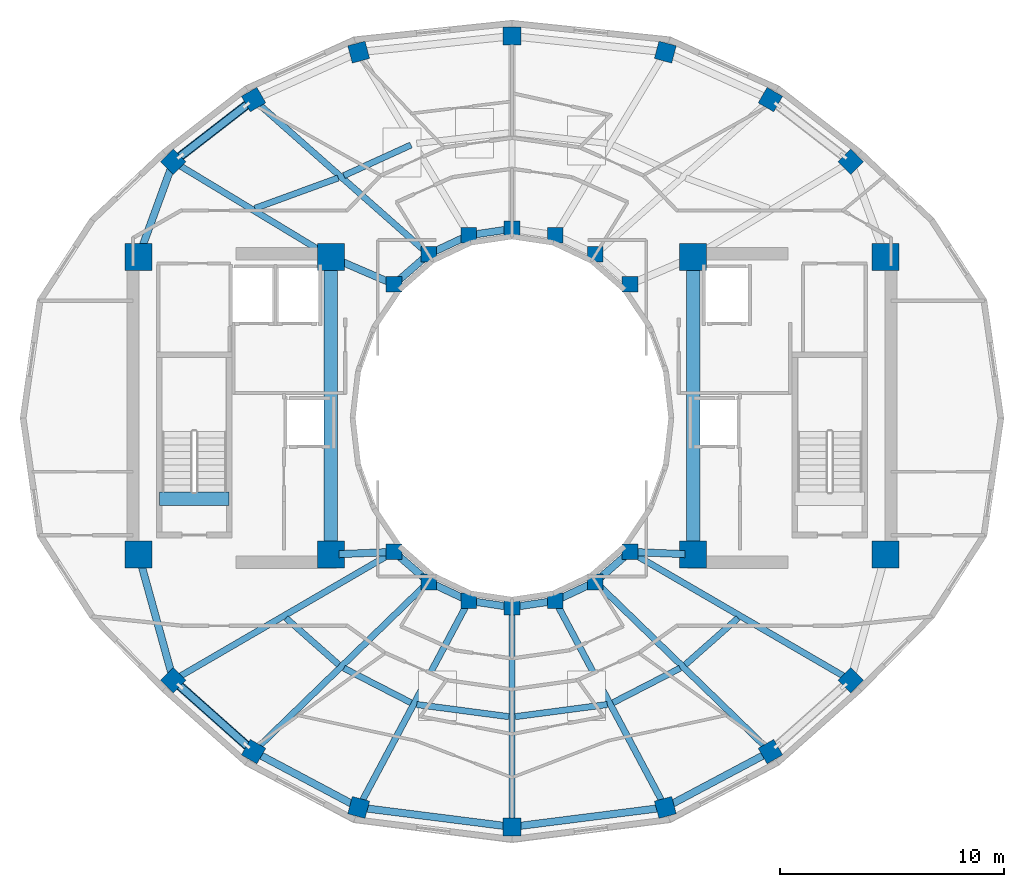
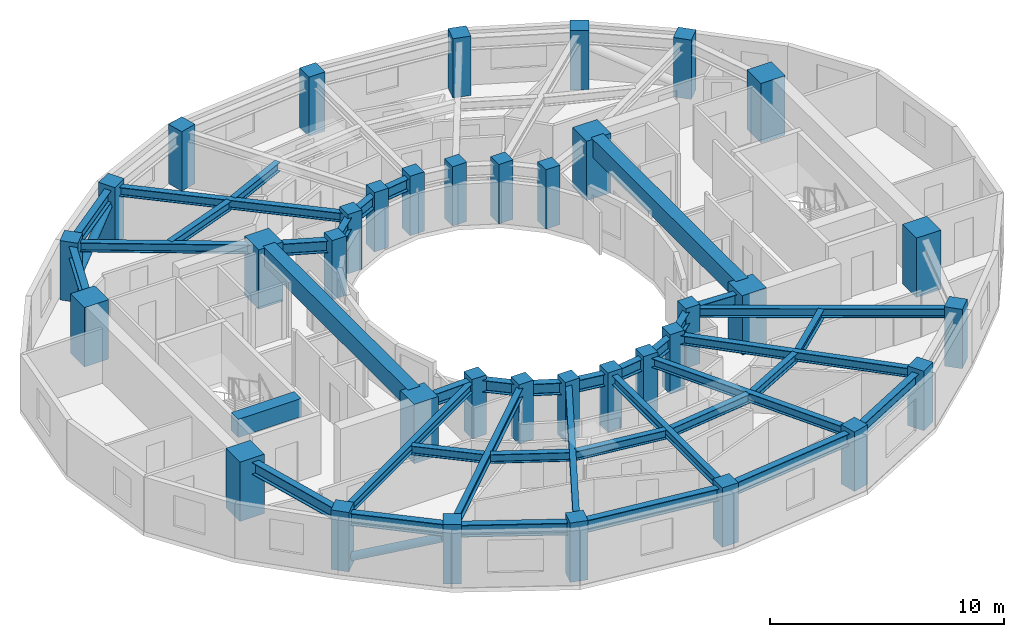
# One storey, part 1 of 9: 40 beams, 36 columns, 2 members.
"""IFC4 building model written with IfcOpenShell, lengths in metres."""

from ifc_helpers import new_model, si_unit, direction, frame, origin, origin_2d, place, context, subcontext, project, spatial, rectangle, hollow_circle, i_section, extrude, material, material_profile, profile_set, type_object, element, save


model = new_model("IFC4")

# Units and contexts
model_context = context("Model", 3, precision=1e-05, world=origin(), true_north=direction((0.0, 1.0)))
body_context = subcontext(model_context, "Body", "Model", "MODEL_VIEW")
ifc_project = project(units=[si_unit("LENGTHUNIT", "METRE"), si_unit("AREAUNIT", "SQUARE_METRE"), si_unit("VOLUMEUNIT", "CUBIC_METRE"), si_unit("PLANEANGLEUNIT", "RADIAN"), si_unit("MASSUNIT", "GRAM", prefix="KILO")], contexts=[model_context])

# Site, building, storey
site_placement = place(None, origin())
site = spatial("IfcSite", under=ifc_project, at=site_placement, CompositionType="ELEMENT")
building_placement = place(site_placement, origin())
building = spatial("IfcBuilding", under=site, at=building_placement, Name="Solvane Sanctuary Tower", CompositionType="ELEMENT")
storey_placement = place(building_placement, frame((0.0, 0.0, 223.300048828125)))
storey = spatial("IfcBuildingStorey", under=building, at=storey_placement, Name="L68", CompositionType="ELEMENT", Elevation=223.300048828125)

# Columns
ifc_material_1 = material(Name="Concrete C50/60", Category="concrete")
ifc_material_profile_1 = material_profile(ifc_material_1, rectangle(XDim=0.699951171875, YDim=0.699951171875, at=origin_2d()), Name="RC700X700")
ifc_profile_set_1 = profile_set([ifc_material_profile_1], Name="Concrete C50/60")
column_type_1 = type_object("IfcColumnType", Name="Column C-RING-Z4 RC700X700", PredefinedType="COLUMN", material=ifc_profile_set_1)
for number, where, z_axis, x_axis, name in (
    (1, (37.27490234375, 28.982177734375, 0.0), (0.0, 0.0, 1.0), (1.0, 0.0, 0.0), "L68 Inner Light-Well Ring Column IC01"),
    (2, (35.72998046875, 30.32666015625, 0.0), (0.0, 0.0, 1.0), (1.0, 0.0, 0.0), "L68 Inner Light-Well Ring Column IC02"),
    (3, (33.930908203125, 31.171630859375, 0.0), (0.0, 0.0, 1.0), (1.0, 0.0, 0.0), "L68 Inner Light-Well Ring Column IC03"),
    (4, (32.0, 31.4599609375, 0.0), (0.0, 0.0, 1.0), (1.0, 0.0, 0.0), "L68 Inner Light-Well Ring Column IC04"),
    (5, (30.069091796875, 31.171630859375, 0.0), (0.0, 0.0, 1.0), (1.0, 0.0, 0.0), "L68 Inner Light-Well Ring Column IC05"),
    (6, (28.27001953125, 30.32666015625, 0.0), (0.0, 0.0, 1.0), (1.0, 0.0, 0.0), "L68 Inner Light-Well Ring Column IC06"),
    (7, (26.72509765625, 28.982177734375, 0.0), (0.0, 0.0, 1.0), (1.0, 0.0, 0.0), "L68 Inner Light-Well Ring Column IC07"),
    (8, (26.72509765625, 17.017822265625, 0.0), (0.0, 0.0, 1.0), (1.0, 0.0, 0.0), "L68 Inner Light-Well Ring Column IC08"),
    (9, (28.27001953125, 15.67333984375, 0.0), (0.0, 0.0, 1.0), (1.0, 0.0, 0.0), "L68 Inner Light-Well Ring Column IC09"),
    (10, (30.069091796875, 14.828369140625, 0.0), (0.0, 0.0, 1.0), (1.0, 0.0, 0.0), "L68 Inner Light-Well Ring Column IC10"),
    (11, (32.0, 14.5400390625, 0.0), (0.0, 0.0, 1.0), (1.0, 0.0, 0.0), "L68 Inner Light-Well Ring Column IC11"),
    (12, (33.930908203125, 14.828369140625, 0.0), (0.0, 0.0, 1.0), (1.0, 0.0, 0.0), "L68 Inner Light-Well Ring Column IC12"),
    (13, (35.72998046875, 15.67333984375, 0.0), (0.0, 0.0, 1.0), (1.0, 0.0, 0.0), "L68 Inner Light-Well Ring Column IC13"),
    (14, (37.27490234375, 17.017822265625, 0.0), (0.0, 0.0, 1.0), (1.0, 0.0, 0.0), "L68 Inner Light-Well Ring Column IC14"),
):
    element("IfcColumn", number, at=place(storey_placement, frame(where, z_axis=z_axis, x_axis=x_axis)), inside=storey, type_object=column_type_1, Name=name, PredefinedType="COLUMN", context=body_context, shape_type="SweptSolid", body=[
        extrude(rectangle(XDim=0.699951171875, YDim=0.699951171875, at=origin_2d()), origin(), (0.0, 0.0, 1.0), 3.099853515625),
    ])
ifc_material_2 = material(Name="Concrete C70/85", Category="concrete")
ifc_material_profile_2 = material_profile(ifc_material_2, rectangle(XDim=1.199951171875, YDim=1.199951171875, at=origin_2d()), Name="RC1200X1200")
ifc_profile_set_2 = profile_set([ifc_material_profile_2], Name="Concrete C70/85")
column_type_2 = type_object("IfcColumnType", Name="Column C-TUBE-Z1 RC1200X1200", PredefinedType="COLUMN", material=ifc_profile_set_2)
for number, where, z_axis, x_axis, name in (
    (15, (15.300048828125, 16.89990234375, 0.0), (0.0, 0.0, 1.0), (1.0, 0.0, 0.0), "L68 Core Corner Column CW1"),
    (16, (23.89990234375, 16.89990234375, 0.0), (0.0, 0.0, 1.0), (1.0, 0.0, 0.0), "L68 Core Corner Column CW2"),
    (17, (23.89990234375, 30.199951171875, 0.0), (0.0, 0.0, 1.0), (1.0, 0.0, 0.0), "L68 Core Corner Column CW3"),
    (18, (15.300048828125, 30.199951171875, 0.0), (0.0, 0.0, 1.0), (1.0, 0.0, 0.0), "L68 Core Corner Column CW4"),
    (19, (40.10009765625, 16.89990234375, 0.0), (0.0, 0.0, 1.0), (1.0, 0.0, 0.0), "L68 Core Corner Column CE1"),
    (20, (48.699951171875, 16.89990234375, 0.0), (0.0, 0.0, 1.0), (1.0, 0.0, 0.0), "L68 Core Corner Column CE2"),
    (21, (48.699951171875, 30.199951171875, 0.0), (0.0, 0.0, 1.0), (1.0, 0.0, 0.0), "L68 Core Corner Column CE3"),
    (22, (40.10009765625, 30.199951171875, 0.0), (0.0, 0.0, 1.0), (1.0, 0.0, 0.0), "L68 Core Corner Column CE4"),
):
    element("IfcColumn", number, at=place(storey_placement, frame(where, z_axis=z_axis, x_axis=x_axis)), inside=storey, type_object=column_type_2, Name=name, PredefinedType="COLUMN", context=body_context, shape_type="SweptSolid", body=[
        extrude(rectangle(XDim=1.199951171875, YDim=1.199951171875, at=origin_2d()), origin(), (0.0, 0.0, 1.0), 3.099853515625),
    ])
ifc_material_profile_3 = material_profile(ifc_material_1, rectangle(XDim=0.800048828125, YDim=0.800048828125, at=origin_2d()), Name="RC800X800")
ifc_profile_set_3 = profile_set([ifc_material_profile_3], Name="Concrete C50/60")
column_type_3 = type_object("IfcColumnType", Name="Column C-TUBE-Z4 RC800X800", PredefinedType="COLUMN", material=ifc_profile_set_3)
for number, where, z_axis, x_axis, name in (
    (23, (47.14501953125, 34.461669921875, 0.0), (0.0, 0.0, 1.0), (0.707106781187, 0.707106781187, 0.0), "L68 Perimeter Tube Column TC01"),
    (24, (43.55517578125, 37.241455078125, 0.0), (0.0, 0.0, 1.0), (0.5, 0.866025403784, 0.0), "L68 Perimeter Tube Column TC02"),
    (25, (38.856201171875, 39.3623046875, 0.0), (0.0, 0.0, 1.0), (0.258819045103, 0.965925826289, 0.0), "L68 Perimeter Tube Column TC03"),
    (26, (32.0, 40.080078125, 0.0), (0.0, 0.0, 1.0), (0.0, 1.0, 0.0), "L68 Perimeter Tube Column TC04"),
    (27, (25.143798828125, 39.3623046875, 0.0), (0.0, 0.0, 1.0), (-0.258819045103, 0.965925826289, 0.0), "L68 Perimeter Tube Column TC05"),
    (28, (20.44482421875, 37.241455078125, 0.0), (0.0, 0.0, 1.0), (-0.5, 0.866025403784, 0.0), "L68 Perimeter Tube Column TC06"),
    (29, (16.85498046875, 34.461669921875, 0.0), (0.0, 0.0, 1.0), (-0.707106781187, 0.707106781187, 0.0), "L68 Perimeter Tube Column TC07"),
    (30, (16.85498046875, 11.279052734375, 0.0), (0.0, 0.0, 1.0), (-0.707106781187, -0.707106781187, 0.0), "L68 Perimeter Tube Column TC08"),
    (31, (20.44482421875, 8.086181640625, 0.0), (0.0, 0.0, 1.0), (-0.5, -0.866025403784, 0.0), "L68 Perimeter Tube Column TC09"),
    (32, (25.143798828125, 5.588623046875, 0.0), (0.0, 0.0, 1.0), (-0.258819045103, -0.965925826289, 0.0), "L68 Perimeter Tube Column TC10"),
    (33, (32.0, 4.719970703125, 0.0), (0.0, 0.0, 1.0), (0.0, -1.0, 0.0), "L68 Perimeter Tube Column TC11"),
    (34, (38.856201171875, 5.588623046875, 0.0), (0.0, 0.0, 1.0), (0.258819045103, -0.965925826289, 0.0), "L68 Perimeter Tube Column TC12"),
    (35, (43.55517578125, 8.086181640625, 0.0), (0.0, 0.0, 1.0), (0.5, -0.866025403784, 0.0), "L68 Perimeter Tube Column TC13"),
    (36, (47.14501953125, 11.279052734375, 0.0), (0.0, 0.0, 1.0), (0.707106781187, -0.707106781187, 0.0), "L68 Perimeter Tube Column TC14"),
):
    element("IfcColumn", number, at=place(storey_placement, frame(where, z_axis=z_axis, x_axis=x_axis)), inside=storey, type_object=column_type_3, Name=name, PredefinedType="COLUMN", context=body_context, shape_type="SweptSolid", body=[
        extrude(rectangle(XDim=0.800048828125, YDim=0.800048828125, at=origin_2d()), origin(), (0.0, 0.0, 1.0), 3.099853515625),
    ])

# Beams
ifc_material_profile_4 = material_profile(ifc_material_2, rectangle(XDim=0.60009765625, YDim=0.949951171875, at=origin_2d()), Name="RC600X950")
ifc_profile_set_4 = profile_set([ifc_material_profile_4], Name="Concrete C70/85")
beam_type_1 = type_object("IfcBeamType", Name="Beam B-COUPLE RC600X950", PredefinedType="LINTEL", material=ifc_profile_set_4)
for number, where, z_axis, x_axis, name in (
    (37, (23.89990234375, 17.35009765625, 2.625), (0.0, 1.0, 0.0), (-1.0, 0.0, 0.0), "L68 West Core Coupling Lintel"),
    (38, (40.10009765625, 17.35009765625, 2.625), (0.0, 1.0, 0.0), (-1.0, 0.0, 0.0), "L68 East Core Coupling Lintel"),
):
    element("IfcBeam", number, at=place(storey_placement, frame(where, z_axis=z_axis, x_axis=x_axis)), inside=storey, type_object=beam_type_1, Name=name, PredefinedType="LINTEL", context=body_context, shape_type="SweptSolid", body=[
        extrude(rectangle(XDim=0.60009765625, YDim=0.949951171875, at=origin_2d()), origin(), (0.0, 0.0, 1.0), 12.39990234375),
    ])
beam_1_placement = place(storey_placement, frame((16.22998046875, 19.399169921875, 2.625), z_axis=(1.0, 0.0, 0.0), x_axis=(0.0, 1.0, 0.0)))
element("IfcBeam", 39, at=beam_1_placement, inside=storey, type_object=beam_type_1, Name="L68 ST-1 Stair Floor Landing Trimmer", PredefinedType="LINTEL", context=body_context, shape_type="SweptSolid", body=[
    extrude(rectangle(XDim=0.60009765625, YDim=0.949951171875, at=origin_2d()), origin(), (0.0, 0.0, 1.0), 3.1201171875),
])
ifc_material_3 = material(Name="Steel ASTM A992 Grade 50", Category="steel")
ifc_material_profile_5 = material_profile(ifc_material_3, i_section(OverallWidth=0.282958984375, OverallDepth=0.471923828125, WebThickness=0.013671875, FlangeThickness=0.022216796875, FilletRadius=0.013916015625, at=origin_2d()), Name="W18X97")
ifc_profile_set_5 = profile_set([ifc_material_profile_5], Name="Steel ASTM A992 Grade 50")
beam_type_2 = type_object("IfcBeamType", Name="Beam B-RAD-Z4 W18X97", PredefinedType="JOIST", material=ifc_profile_set_5)
beam_2_placement = place(storey_placement, frame((28.060302734375, 30.511962890625, 2.641845703125), z_axis=(-0.749352461353, 0.662171343886, 0.0), x_axis=(-0.662171343886, -0.749352461353, 0.0)))
element("IfcBeam", 40, at=beam_2_placement, inside=storey, type_object=beam_type_2, Name="L68 Radial Composite Floor Beam 06", PredefinedType="JOIST", context=body_context, shape_type="SweptSolid", body=[
    extrude(i_section(OverallWidth=0.282958984375, OverallDepth=0.471923828125, WebThickness=0.013671875, FlangeThickness=0.022216796875, FilletRadius=0.013916015625, at=origin_2d()), origin(), (0.0, 0.0, 1.0), 9.882568359375),
])
beam_3_placement = place(storey_placement, frame((23.592041015625, 30.38623046875, 2.641845703125), z_axis=(-0.855612120123, 0.517617522789, 0.0), x_axis=(-0.517617522789, -0.855612120123, 0.0)))
element("IfcBeam", 41, at=beam_3_placement, inside=storey, type_object=beam_type_2, Name="L68 Radial Composite Floor Beam 07", PredefinedType="JOIST", context=body_context, shape_type="SweptSolid", body=[
    extrude(i_section(OverallWidth=0.282958984375, OverallDepth=0.471923828125, WebThickness=0.013671875, FlangeThickness=0.022216796875, FilletRadius=0.013916015625, at=origin_2d()), origin(), (0.0, 0.0, 1.0), 7.59375),
])
beam_4_placement = place(storey_placement, frame((26.48291015625, 16.877197265625, 2.641845703125), z_axis=(-0.864489234729, -0.502651333469, 0.0), x_axis=(0.502651333469, -0.864489234729, 0.0)))
element("IfcBeam", 42, at=beam_4_placement, inside=storey, type_object=beam_type_2, Name="L68 Radial Composite Floor Beam 08", PredefinedType="JOIST", context=body_context, shape_type="SweptSolid", body=[
    extrude(i_section(OverallWidth=0.282958984375, OverallDepth=0.471923828125, WebThickness=0.013671875, FlangeThickness=0.022216796875, FilletRadius=0.013916015625, at=origin_2d()), origin(), (0.0, 0.0, 1.0), 10.85693359375),
])
beam_5_placement = place(storey_placement, frame((28.069091796875, 15.478515625, 2.641845703125), z_axis=(-0.717931503288, -0.69611375262, 0.0), x_axis=(0.69611375262, -0.717931503288, 0.0)))
element("IfcBeam", 43, at=beam_5_placement, inside=storey, type_object=beam_type_2, Name="L68 Radial Composite Floor Beam 09", PredefinedType="JOIST", context=body_context, shape_type="SweptSolid", body=[
    extrude(i_section(OverallWidth=0.282958984375, OverallDepth=0.471923828125, WebThickness=0.013671875, FlangeThickness=0.022216796875, FilletRadius=0.013916015625, at=origin_2d()), origin(), (0.0, 0.0, 1.0), 10.339599609375),
])
beam_6_placement = place(storey_placement, frame((29.9375, 14.581298828125, 2.641845703125), z_axis=(-0.470395154587, -0.882455890422, 0.0), x_axis=(0.882455890422, -0.470395154587, 0.0)))
element("IfcBeam", 44, at=beam_6_placement, inside=storey, type_object=beam_type_2, Name="L68 Radial Composite Floor Beam 10", PredefinedType="JOIST", context=body_context, shape_type="SweptSolid", body=[
    extrude(i_section(OverallWidth=0.282958984375, OverallDepth=0.471923828125, WebThickness=0.013671875, FlangeThickness=0.022216796875, FilletRadius=0.013916015625, at=origin_2d()), origin(), (0.0, 0.0, 1.0), 9.91064453125),
])
beam_7_placement = place(storey_placement, frame((32.0, 14.260009765625, 2.641845703125), z_axis=(0.0, -1.0, 0.0), x_axis=(1.0, 0.0, 0.0)))
element("IfcBeam", 45, at=beam_7_placement, inside=storey, type_object=beam_type_2, Name="L68 Radial Composite Floor Beam 11", PredefinedType="JOIST", context=body_context, shape_type="SweptSolid", body=[
    extrude(i_section(OverallWidth=0.282958984375, OverallDepth=0.471923828125, WebThickness=0.013671875, FlangeThickness=0.022216796875, FilletRadius=0.013916015625, at=origin_2d()), origin(), (0.0, 0.0, 1.0), 9.260009765625),
])
beam_8_placement = place(storey_placement, frame((34.0625, 14.581298828125, 2.641845703125), z_axis=(0.470395154587, -0.882455890422, 0.0), x_axis=(0.882455890422, 0.470395154587, 0.0)))
element("IfcBeam", 46, at=beam_8_placement, inside=storey, type_object=beam_type_2, Name="L68 Radial Composite Floor Beam 12", PredefinedType="JOIST", context=body_context, shape_type="SweptSolid", body=[
    extrude(i_section(OverallWidth=0.282958984375, OverallDepth=0.471923828125, WebThickness=0.013671875, FlangeThickness=0.022216796875, FilletRadius=0.013916015625, at=origin_2d()), origin(), (0.0, 0.0, 1.0), 9.91064453125),
])
beam_9_placement = place(storey_placement, frame((35.930908203125, 15.478515625, 2.641845703125), z_axis=(0.717931503288, -0.69611375262, 0.0), x_axis=(0.69611375262, 0.717931503288, 0.0)))
element("IfcBeam", 47, at=beam_9_placement, inside=storey, type_object=beam_type_2, Name="L68 Radial Composite Floor Beam 13", PredefinedType="JOIST", context=body_context, shape_type="SweptSolid", body=[
    extrude(i_section(OverallWidth=0.282958984375, OverallDepth=0.471923828125, WebThickness=0.013671875, FlangeThickness=0.022216796875, FilletRadius=0.013916015625, at=origin_2d()), origin(), (0.0, 0.0, 1.0), 10.339599609375),
])
beam_10_placement = place(storey_placement, frame((37.51708984375, 16.877197265625, 2.641845703125), z_axis=(0.864489234729, -0.502651333469, 0.0), x_axis=(0.502651333469, 0.864489234729, 0.0)))
element("IfcBeam", 48, at=beam_10_placement, inside=storey, type_object=beam_type_2, Name="L68 Radial Composite Floor Beam 14", PredefinedType="JOIST", context=body_context, shape_type="SweptSolid", body=[
    extrude(i_section(OverallWidth=0.282958984375, OverallDepth=0.471923828125, WebThickness=0.013671875, FlangeThickness=0.022216796875, FilletRadius=0.013916015625, at=origin_2d()), origin(), (0.0, 0.0, 1.0), 10.85693359375),
])
ifc_material_profile_6 = material_profile(ifc_material_3, i_section(OverallWidth=0.324951171875, OverallDepth=0.615966796875, WebThickness=0.013916015625, FlangeThickness=0.021484375, FilletRadius=0.01611328125, at=origin_2d()), Name="W24X117")
ifc_profile_set_6 = profile_set([ifc_material_profile_6], Name="Steel ASTM A992 Grade 50")
beam_type_3 = type_object("IfcBeamType", Name="Beam B-RING-IN2 W24X117", PredefinedType="BEAM", material=ifc_profile_set_6)
beam_11_placement = place(storey_placement, frame((24.230712890625, 30.0576171875, 2.570068359375), z_axis=(0.918283854026, -0.395922673554, 0.0), x_axis=(0.395922673554, 0.918283854026, 0.0)))
element("IfcBeam", 49, at=beam_11_placement, inside=storey, type_object=beam_type_3, Name="L68 Inner Light-Well Ring Beam CW3-IC07", PredefinedType="BEAM", context=body_context, shape_type="SweptSolid", body=[
    extrude(i_section(OverallWidth=0.324951171875, OverallDepth=0.615966796875, WebThickness=0.013916015625, FlangeThickness=0.021484375, FilletRadius=0.01611328125, at=origin_2d()), origin(), (0.0, 0.0, 1.0), 2.396240234375),
])
beam_12_placement = place(storey_placement, frame((26.96630859375, 29.192138671875, 2.570068359375), z_axis=(0.754388985763, 0.656427648839, 0.0), x_axis=(-0.656427648839, 0.754388985763, 0.0)))
element("IfcBeam", 50, at=beam_12_placement, inside=storey, type_object=beam_type_3, Name="L68 Inner Light-Well Ring Beam IC07-IC06", PredefinedType="BEAM", context=body_context, shape_type="SweptSolid", body=[
    extrude(i_section(OverallWidth=0.324951171875, OverallDepth=0.615966796875, WebThickness=0.013916015625, FlangeThickness=0.021484375, FilletRadius=0.01611328125, at=origin_2d()), origin(), (0.0, 0.0, 1.0), 1.408203125),
])
beam_13_placement = place(storey_placement, frame((28.5595703125, 30.462646484375, 2.570068359375), z_axis=(0.905134542189, 0.425125229241, 0.0), x_axis=(-0.425125229241, 0.905134542189, 0.0)))
element("IfcBeam", 51, at=beam_13_placement, inside=storey, type_object=beam_type_3, Name="L68 Inner Light-Well Ring Beam IC06-IC05", PredefinedType="BEAM", context=body_context, shape_type="SweptSolid", body=[
    extrude(i_section(OverallWidth=0.324951171875, OverallDepth=0.615966796875, WebThickness=0.013916015625, FlangeThickness=0.021484375, FilletRadius=0.01611328125, at=origin_2d()), origin(), (0.0, 0.0, 1.0), 1.347900390625),
])
beam_14_placement = place(storey_placement, frame((30.3857421875, 31.218994140625, 2.570068359375), z_axis=(0.989056121481, 0.147539786368, 0.0), x_axis=(-0.147539786368, 0.989056121481, 0.0)))
element("IfcBeam", 52, at=beam_14_placement, inside=storey, type_object=beam_type_3, Name="L68 Inner Light-Well Ring Beam IC05-IC04", PredefinedType="BEAM", context=body_context, shape_type="SweptSolid", body=[
    extrude(i_section(OverallWidth=0.324951171875, OverallDepth=0.615966796875, WebThickness=0.013916015625, FlangeThickness=0.021484375, FilletRadius=0.01611328125, at=origin_2d()), origin(), (0.0, 0.0, 1.0), 1.312255859375),
])
beam_15_placement = place(storey_placement, frame((24.259765625, 16.9150390625, 2.570068359375), z_axis=(0.999129127803, 0.041725124022, 0.0), x_axis=(-0.041725124022, 0.999129127803, 0.0)))
element("IfcBeam", 53, at=beam_15_placement, inside=storey, type_object=beam_type_3, Name="L68 Inner Light-Well Ring Beam CW2-IC08", PredefinedType="BEAM", context=body_context, shape_type="SweptSolid", body=[
    extrude(i_section(OverallWidth=0.324951171875, OverallDepth=0.615966796875, WebThickness=0.013916015625, FlangeThickness=0.021484375, FilletRadius=0.01611328125, at=origin_2d()), origin(), (0.0, 0.0, 1.0), 2.1474609375),
])
beam_16_placement = place(storey_placement, frame((26.96630859375, 16.807861328125, 2.570068359375), z_axis=(0.754388985763, -0.656427648839, 0.0), x_axis=(0.656427648839, 0.754388985763, 0.0)))
element("IfcBeam", 54, at=beam_16_placement, inside=storey, type_object=beam_type_3, Name="L68 Inner Light-Well Ring Beam IC08-IC09", PredefinedType="BEAM", context=body_context, shape_type="SweptSolid", body=[
    extrude(i_section(OverallWidth=0.324951171875, OverallDepth=0.615966796875, WebThickness=0.013916015625, FlangeThickness=0.021484375, FilletRadius=0.01611328125, at=origin_2d()), origin(), (0.0, 0.0, 1.0), 1.408203125),
])
beam_17_placement = place(storey_placement, frame((28.5595703125, 15.537353515625, 2.570068359375), z_axis=(0.905134542189, -0.425125229241, 0.0), x_axis=(0.425125229241, 0.905134542189, 0.0)))
element("IfcBeam", 55, at=beam_17_placement, inside=storey, type_object=beam_type_3, Name="L68 Inner Light-Well Ring Beam IC09-IC10", PredefinedType="BEAM", context=body_context, shape_type="SweptSolid", body=[
    extrude(i_section(OverallWidth=0.324951171875, OverallDepth=0.615966796875, WebThickness=0.013916015625, FlangeThickness=0.021484375, FilletRadius=0.01611328125, at=origin_2d()), origin(), (0.0, 0.0, 1.0), 1.347900390625),
])
for number, where, z_axis, x_axis, name in (
    (56, (30.3857421875, 14.781005859375, 2.570068359375), (0.989056121481, -0.147539786368, 0.0), (0.147539786368, 0.989056121481, 0.0), "L68 Inner Light-Well Ring Beam IC10-IC11"),
    (57, (32.31640625, 14.58740234375, 2.570068359375), (0.989056121481, 0.147539786368, 0.0), (-0.147539786368, 0.989056121481, 0.0), "L68 Inner Light-Well Ring Beam IC11-IC12"),
):
    element("IfcBeam", number, at=place(storey_placement, frame(where, z_axis=z_axis, x_axis=x_axis)), inside=storey, type_object=beam_type_3, Name=name, PredefinedType="BEAM", context=body_context, shape_type="SweptSolid", body=[
        extrude(i_section(OverallWidth=0.324951171875, OverallDepth=0.615966796875, WebThickness=0.013916015625, FlangeThickness=0.021484375, FilletRadius=0.01611328125, at=origin_2d()), origin(), (0.0, 0.0, 1.0), 1.312255859375),
    ])
beam_18_placement = place(storey_placement, frame((34.220458984375, 14.96435546875, 2.570068359375), z_axis=(0.905134542189, 0.425125229241, 0.0), x_axis=(-0.425125229241, 0.905134542189, 0.0)))
element("IfcBeam", 58, at=beam_18_placement, inside=storey, type_object=beam_type_3, Name="L68 Inner Light-Well Ring Beam IC12-IC13", PredefinedType="BEAM", context=body_context, shape_type="SweptSolid", body=[
    extrude(i_section(OverallWidth=0.324951171875, OverallDepth=0.615966796875, WebThickness=0.013916015625, FlangeThickness=0.021484375, FilletRadius=0.01611328125, at=origin_2d()), origin(), (0.0, 0.0, 1.0), 1.347900390625),
])
beam_19_placement = place(storey_placement, frame((35.971435546875, 15.883544921875, 2.570068359375), z_axis=(0.754388985763, 0.656427648839, 0.0), x_axis=(-0.656427648839, 0.754388985763, 0.0)))
element("IfcBeam", 59, at=beam_19_placement, inside=storey, type_object=beam_type_3, Name="L68 Inner Light-Well Ring Beam IC13-IC14", PredefinedType="BEAM", context=body_context, shape_type="SweptSolid", body=[
    extrude(i_section(OverallWidth=0.324951171875, OverallDepth=0.615966796875, WebThickness=0.013916015625, FlangeThickness=0.021484375, FilletRadius=0.01611328125, at=origin_2d()), origin(), (0.0, 0.0, 1.0), 1.408203125),
])
beam_20_placement = place(storey_placement, frame((37.5947265625, 17.004638671875, 2.570068359375), z_axis=(0.999129127803, -0.041725124022, 0.0), x_axis=(0.041725124022, 0.999129127803, 0.0)))
element("IfcBeam", 60, at=beam_20_placement, inside=storey, type_object=beam_type_3, Name="L68 Inner Light-Well Ring Beam IC14-CE1", PredefinedType="BEAM", context=body_context, shape_type="SweptSolid", body=[
    extrude(i_section(OverallWidth=0.324951171875, OverallDepth=0.615966796875, WebThickness=0.013916015625, FlangeThickness=0.021484375, FilletRadius=0.01611328125, at=origin_2d()), origin(), (0.0, 0.0, 1.0), 2.1474609375),
])
ifc_material_profile_7 = material_profile(ifc_material_3, i_section(OverallWidth=0.280029296875, OverallDepth=0.462890625, WebThickness=0.0107421875, FlangeThickness=0.017333984375, FilletRadius=0.013916015625, at=origin_2d()), Name="W18X76")
ifc_profile_set_7 = profile_set([ifc_material_profile_7], Name="Steel ASTM A992 Grade 50")
beam_type_4 = type_object("IfcBeamType", Name="Beam B-SEC-JOIST W18X76", PredefinedType="JOIST", material=ifc_profile_set_7)
beam_21_placement = place(storey_placement, frame((20.505615234375, 32.377685546875, 2.646484375), z_axis=(0.939341257695, 0.342983966962, 0.0), x_axis=(-0.342983966962, 0.939341257695, 0.0)))
element("IfcBeam", 61, at=beam_21_placement, inside=storey, type_object=beam_type_4, Name="L68 Secondary Circumferential Joist 07-06", PredefinedType="JOIST", context=body_context, shape_type="SweptSolid", body=[
    extrude(i_section(OverallWidth=0.280029296875, OverallDepth=0.462890625, WebThickness=0.0107421875, FlangeThickness=0.017333984375, FilletRadius=0.013916015625, at=origin_2d()), origin(), (0.0, 0.0, 1.0), 3.964111328125),
])
beam_22_placement = place(storey_placement, frame((24.481689453125, 33.8408203125, 2.646484375), z_axis=(0.909746959611, 0.415163184156, 0.0), x_axis=(-0.415163184156, 0.909746959611, 0.0)))
element("IfcBeam", 62, at=beam_22_placement, inside=storey, type_object=beam_type_4, Name="L68 Secondary Circumferential Joist 06-05", PredefinedType="JOIST", context=body_context, shape_type="SweptSolid", body=[
    extrude(i_section(OverallWidth=0.280029296875, OverallDepth=0.462890625, WebThickness=0.0107421875, FlangeThickness=0.017333984375, FilletRadius=0.013916015625, at=origin_2d()), origin(), (0.0, 0.0, 1.0), 3.29833984375),
])
beam_23_placement = place(storey_placement, frame((21.892333984375, 14.05810546875, 2.646484375), z_axis=(0.749354102876, -0.662169486236, 0.0), x_axis=(0.662169486236, 0.749354102876, 0.0)))
element("IfcBeam", 63, at=beam_23_placement, inside=storey, type_object=beam_type_4, Name="L68 Secondary Circumferential Joist 08-09", PredefinedType="JOIST", context=body_context, shape_type="SweptSolid", body=[
    extrude(i_section(OverallWidth=0.280029296875, OverallDepth=0.462890625, WebThickness=0.0107421875, FlangeThickness=0.017333984375, FilletRadius=0.013916015625, at=origin_2d()), origin(), (0.0, 0.0, 1.0), 3.153076171875),
])
beam_24_placement = place(storey_placement, frame((24.47900390625, 11.8173828125, 2.646484375), z_axis=(0.88924080122, -0.4574393921, 0.0), x_axis=(0.4574393921, 0.88924080122, 0.0)))
element("IfcBeam", 64, at=beam_24_placement, inside=storey, type_object=beam_type_4, Name="L68 Secondary Circumferential Joist 09-10", PredefinedType="JOIST", context=body_context, shape_type="SweptSolid", body=[
    extrude(i_section(OverallWidth=0.280029296875, OverallDepth=0.462890625, WebThickness=0.0107421875, FlangeThickness=0.017333984375, FilletRadius=0.013916015625, at=origin_2d()), origin(), (0.0, 0.0, 1.0), 3.380615234375),
])
for number, where, z_axis, x_axis, name in (
    (65, (27.74169921875, 10.190673828125, 2.646484375), (0.991439902559, -0.130563852634, 0.0), (0.130563852634, 0.991439902559, 0.0), "L68 Secondary Circumferential Joist 10-11"),
    (66, (32.13525390625, 9.647705078125, 2.646484375), (0.991439902559, 0.130563852634, 0.0), (-0.130563852634, 0.991439902559, 0.0), "L68 Secondary Circumferential Joist 11-12"),
):
    element("IfcBeam", number, at=place(storey_placement, frame(where, z_axis=z_axis, x_axis=x_axis)), inside=storey, type_object=beam_type_4, Name=name, PredefinedType="JOIST", context=body_context, shape_type="SweptSolid", body=[
        extrude(i_section(OverallWidth=0.280029296875, OverallDepth=0.462890625, WebThickness=0.0107421875, FlangeThickness=0.017333984375, FilletRadius=0.013916015625, at=origin_2d()), origin(), (0.0, 0.0, 1.0), 4.15869140625),
    ])
beam_25_placement = place(storey_placement, frame((36.514892578125, 10.27099609375, 2.646484375), z_axis=(0.88924080122, 0.4574393921, 0.0), x_axis=(-0.4574393921, 0.88924080122, 0.0)))
element("IfcBeam", 67, at=beam_25_placement, inside=storey, type_object=beam_type_4, Name="L68 Secondary Circumferential Joist 12-13", PredefinedType="JOIST", context=body_context, shape_type="SweptSolid", body=[
    extrude(i_section(OverallWidth=0.280029296875, OverallDepth=0.462890625, WebThickness=0.0107421875, FlangeThickness=0.017333984375, FilletRadius=0.013916015625, at=origin_2d()), origin(), (0.0, 0.0, 1.0), 3.380615234375),
])
beam_26_placement = place(storey_placement, frame((39.744873046875, 11.97021484375, 2.646484375), z_axis=(0.749354102876, 0.662169486236, 0.0), x_axis=(-0.662169486236, 0.749354102876, 0.0)))
element("IfcBeam", 68, at=beam_26_placement, inside=storey, type_object=beam_type_4, Name="L68 Secondary Circumferential Joist 13-14", PredefinedType="JOIST", context=body_context, shape_type="SweptSolid", body=[
    extrude(i_section(OverallWidth=0.280029296875, OverallDepth=0.462890625, WebThickness=0.0107421875, FlangeThickness=0.017333984375, FilletRadius=0.013916015625, at=origin_2d()), origin(), (0.0, 0.0, 1.0), 3.153076171875),
])
ifc_material_profile_8 = material_profile(ifc_material_3, i_section(OverallWidth=0.327880859375, OverallDepth=0.6279296875, WebThickness=0.0166015625, FlangeThickness=0.027587890625, FilletRadius=0.01611328125, at=origin_2d()), Name="W24X146")
ifc_profile_set_8 = profile_set([ifc_material_profile_8], Name="Steel ASTM A992 Grade 50")
beam_type_5 = type_object("IfcBeamType", Name="Beam B-SPAND-Z3 W24X146", PredefinedType="SPANDREL", material=ifc_profile_set_8)
beam_27_placement = place(storey_placement, frame((15.39599609375, 30.462890625, 2.56396484375), z_axis=(0.34275337431, 0.939425422478, 0.0), x_axis=(-0.939425422478, 0.34275337431, 0.0)))
element("IfcBeam", 69, at=beam_27_placement, inside=storey, type_object=beam_type_5, Name="L68 Perimeter Spandrel Beam CW4-TC07", PredefinedType="SPANDREL", context=body_context, shape_type="SweptSolid", body=[
    extrude(i_section(OverallWidth=0.327880859375, OverallDepth=0.6279296875, WebThickness=0.0166015625, FlangeThickness=0.027587890625, FilletRadius=0.01611328125, at=origin_2d()), origin(), (0.0, 0.0, 1.0), 3.976806640625),
])
beam_28_placement = place(storey_placement, frame((17.076416015625, 34.633056640625, 2.56396484375), z_axis=(0.79064516309, 0.612274632891, 0.0), x_axis=(-0.612274632891, 0.79064516309, 0.0)))
element("IfcBeam", 70, at=beam_28_placement, inside=storey, type_object=beam_type_5, Name="L68 Perimeter Spandrel Beam TC07-TC06", PredefinedType="SPANDREL", context=body_context, shape_type="SweptSolid", body=[
    extrude(i_section(OverallWidth=0.327880859375, OverallDepth=0.6279296875, WebThickness=0.0166015625, FlangeThickness=0.027587890625, FilletRadius=0.01611328125, at=origin_2d()), origin(), (0.0, 0.0, 1.0), 3.980224609375),
])
beam_29_placement = place(storey_placement, frame((15.374755859375, 16.630126953125, 2.56396484375), z_axis=(0.266650123869, -0.963793396658, 0.0), x_axis=(0.963793396658, 0.266650123869, 0.0)))
element("IfcBeam", 71, at=beam_29_placement, inside=storey, type_object=beam_type_5, Name="L68 Perimeter Spandrel Beam CW1-TC08", PredefinedType="SPANDREL", context=body_context, shape_type="SweptSolid", body=[
    extrude(i_section(OverallWidth=0.327880859375, OverallDepth=0.6279296875, WebThickness=0.0166015625, FlangeThickness=0.027587890625, FilletRadius=0.01611328125, at=origin_2d()), origin(), (0.0, 0.0, 1.0), 5.27197265625),
])
beam_30_placement = place(storey_placement, frame((17.064208984375, 11.093017578125, 2.56396484375), z_axis=(0.747199825189, -0.664599444205, 0.0), x_axis=(0.664599444205, 0.747199825189, 0.0)))
element("IfcBeam", 72, at=beam_30_placement, inside=storey, type_object=beam_type_5, Name="L68 Perimeter Spandrel Beam TC08-TC09", PredefinedType="SPANDREL", context=body_context, shape_type="SweptSolid", body=[
    extrude(i_section(OverallWidth=0.327880859375, OverallDepth=0.6279296875, WebThickness=0.0166015625, FlangeThickness=0.027587890625, FilletRadius=0.01611328125, at=origin_2d()), origin(), (0.0, 0.0, 1.0), 4.244384765625),
])
beam_31_placement = place(storey_placement, frame((20.692138671875, 7.954833984375, 2.56396484375), z_axis=(0.883034715026, -0.46930767313, 0.0), x_axis=(0.46930767313, 0.883034715026, 0.0)))
element("IfcBeam", 73, at=beam_31_placement, inside=storey, type_object=beam_type_5, Name="L68 Perimeter Spandrel Beam TC09-TC10", PredefinedType="SPANDREL", context=body_context, shape_type="SweptSolid", body=[
    extrude(i_section(OverallWidth=0.327880859375, OverallDepth=0.6279296875, WebThickness=0.0166015625, FlangeThickness=0.027587890625, FilletRadius=0.01611328125, at=origin_2d()), origin(), (0.0, 0.0, 1.0), 4.761474609375),
])
for number, where, z_axis, x_axis, name in (
    (74, (25.421630859375, 5.553466796875, 2.56396484375), (0.99206770258, -0.125704707538, 0.0), (0.125704707538, 0.99206770258, 0.0), "L68 Perimeter Spandrel Beam TC10-TC11"),
    (75, (32.27783203125, 4.755126953125, 2.56396484375), (0.99206770258, 0.125704707538, 0.0), (-0.125704707538, 0.99206770258, 0.0), "L68 Perimeter Spandrel Beam TC11-TC12"),
):
    element("IfcBeam", number, at=place(storey_placement, frame(where, z_axis=z_axis, x_axis=x_axis)), inside=storey, type_object=beam_type_5, Name=name, PredefinedType="SPANDREL", context=body_context, shape_type="SweptSolid", body=[
        extrude(i_section(OverallWidth=0.327880859375, OverallDepth=0.6279296875, WebThickness=0.0166015625, FlangeThickness=0.027587890625, FilletRadius=0.01611328125, at=origin_2d()), origin(), (0.0, 0.0, 1.0), 6.350830078125),
    ])
beam_32_placement = place(storey_placement, frame((39.103271484375, 5.72021484375, 2.56396484375), z_axis=(0.883034715026, 0.46930767313, 0.0), x_axis=(-0.46930767313, 0.883034715026, 0.0)))
element("IfcBeam", 76, at=beam_32_placement, inside=storey, type_object=beam_type_5, Name="L68 Perimeter Spandrel Beam TC12-TC13", PredefinedType="SPANDREL", context=body_context, shape_type="SweptSolid", body=[
    extrude(i_section(OverallWidth=0.327880859375, OverallDepth=0.6279296875, WebThickness=0.0166015625, FlangeThickness=0.027587890625, FilletRadius=0.01611328125, at=origin_2d()), origin(), (0.0, 0.0, 1.0), 4.761474609375),
])

# Members
ifc_material_profile_9 = material_profile(ifc_material_3, hollow_circle(Radius=0.202880859375, WallThickness=0.012451171875, at=origin_2d()), Name="CHS406X12.5")
ifc_profile_set_9 = profile_set([ifc_material_profile_9], Name="Steel ASTM A992 Grade 50")
member_type = type_object("IfcMemberType", Name="Member M-TUBE-Z3 CHS406X12.5", PredefinedType="BRACE", material=ifc_profile_set_9)
member_1_placement = place(storey_placement, frame((17.18115234375, 34.714111328125, 0.5498046875), z_axis=(0.731090089768, 0.566107162853, 0.380827993731), x_axis=(-0.612242116954, 0.790670342322, 0.0)))
element("IfcMember", 77, at=member_1_placement, inside=storey, type_object=member_type, Name="L68 Perimeter Braced-Tube Diagonal NW", PredefinedType="BRACE", context=body_context, shape_type="SweptSolid", body=[
    extrude(hollow_circle(Radius=0.202880859375, WallThickness=0.012451171875, at=origin_2d()), origin(), (0.0, 0.0, 1.0), 4.017578125),
])
member_2_placement = place(storey_placement, frame((17.16162109375, 11.006591796875, 0.53955078125), z_axis=(0.69629863571, -0.619345335379, 0.362738977025), x_axis=(0.664611503375, 0.747189098945, 0.0)))
element("IfcMember", 78, at=member_2_placement, inside=storey, type_object=member_type, Name="L68 Perimeter Braced-Tube Diagonal SW", PredefinedType="BRACE", context=body_context, shape_type="SweptSolid", body=[
    extrude(hollow_circle(Radius=0.202880859375, WallThickness=0.012451171875, at=origin_2d()), origin(), (0.0, 0.0, 1.0), 4.26708984375),
])

save(model, "model.ifc")
